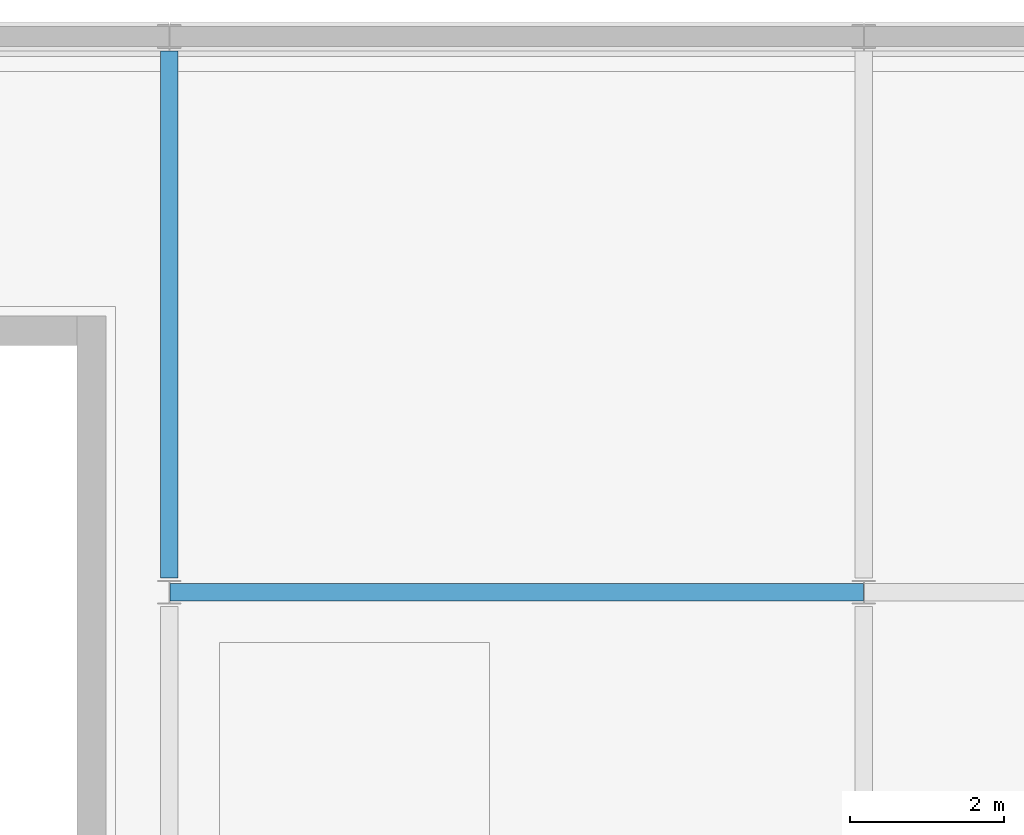
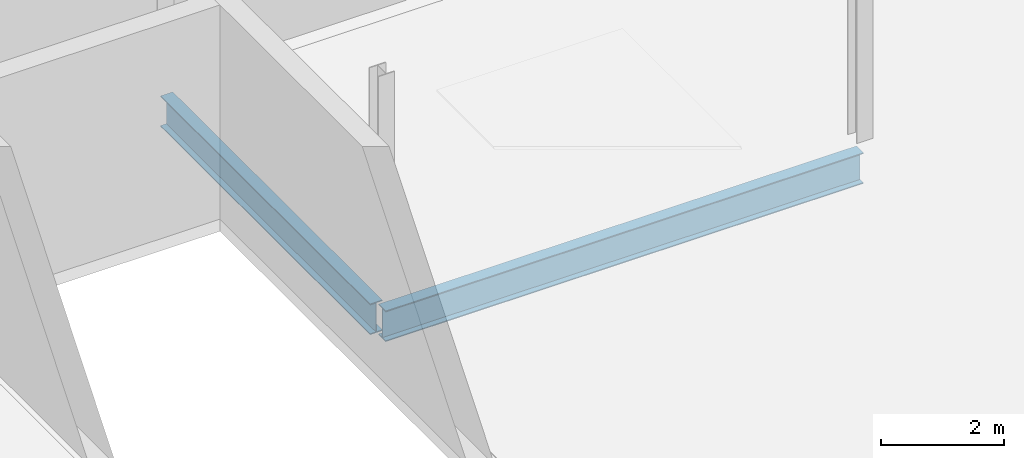
# One storey, part 27 of 52: 2 beams.
"""IFC4 building model written with IfcOpenShell, lengths in metres."""

from ifc_helpers import new_model, si_unit, direction, frame, origin, origin_2d, place, context, subcontext, project, spatial, i_section, extrude, material, material_profile, profile_set, type_object, element, save


model = new_model("IFC4")

# Units and contexts
model_context = context("Model", 3, precision=1e-05, world=origin(), true_north=direction((0.0, 1.0)))
body_context = subcontext(model_context, "Body", "Model", "MODEL_VIEW")
ifc_project = project(units=[si_unit("LENGTHUNIT", "METRE"), si_unit("AREAUNIT", "SQUARE_METRE"), si_unit("VOLUMEUNIT", "CUBIC_METRE"), si_unit("PLANEANGLEUNIT", "RADIAN"), si_unit("MASSUNIT", "GRAM", prefix="KILO")], contexts=[model_context])

# Site, building, storey
site_placement = place(None, origin())
site = spatial("IfcSite", under=ifc_project, at=site_placement, CompositionType="ELEMENT")
building_placement = place(site_placement, origin())
building = spatial("IfcBuilding", under=site, at=building_placement, Name="Celestram Park Convention Centre", CompositionType="ELEMENT")
storey_placement = place(building_placement, frame((0.0, 0.0, 24.300048828125)))
storey = spatial("IfcBuildingStorey", under=building, at=storey_placement, Name="L05", CompositionType="ELEMENT", Elevation=24.300048828125)

# Beams
ifc_material = material(Name="Steel ASTM A992 Grade 50", Category="steel")
ifc_material_profile = material_profile(ifc_material, i_section(OverallWidth=0.22900390625, OverallDepth=0.612060546875, WebThickness=0.011962890625, FlangeThickness=0.01953125, at=origin_2d()), Name="W24X84")
ifc_profile_set = profile_set([ifc_material_profile], Name="Steel ASTM A992 Grade 50")
beam_type = type_object("IfcBeamType", Name="STR-BM-W24X84", PredefinedType="BEAM", material=ifc_profile_set)
beam_1_placement = place(storey_placement, frame((45.006103515625, 158.39990234375, -0.546142578125), z_axis=(1.0, 0.0, 0.0), x_axis=(0.0, 1.0, 0.0)))
element("IfcBeam", 1, at=beam_1_placement, inside=storey, type_object=beam_type, Name="Primary X-girder BG-L05-0028", PredefinedType="BEAM", context=body_context, shape_type="SweptSolid", body=[
    extrude(i_section(OverallWidth=0.22900390625, OverallDepth=0.612060546875, WebThickness=0.011962890625, FlangeThickness=0.01953125, at=origin_2d()), origin(), (0.0, 0.0, 1.0), 8.98779296875),
])
beam_2_placement = place(storey_placement, frame((45.0, 158.58447265625, -0.546142578125), z_axis=(0.0, 1.0, 0.0), x_axis=(-1.0, 0.0, 0.0)))
element("IfcBeam", 2, at=beam_2_placement, inside=storey, type_object=beam_type, Name="Primary Y-girder BG-L05-0029", PredefinedType="BEAM", context=body_context, shape_type="SweptSolid", body=[
    extrude(i_section(OverallWidth=0.22900390625, OverallDepth=0.612060546875, WebThickness=0.011962890625, FlangeThickness=0.01953125, at=origin_2d()), origin(), (0.0, 0.0, 1.0), 6.8310546875),
])

save(model, "model.ifc")
